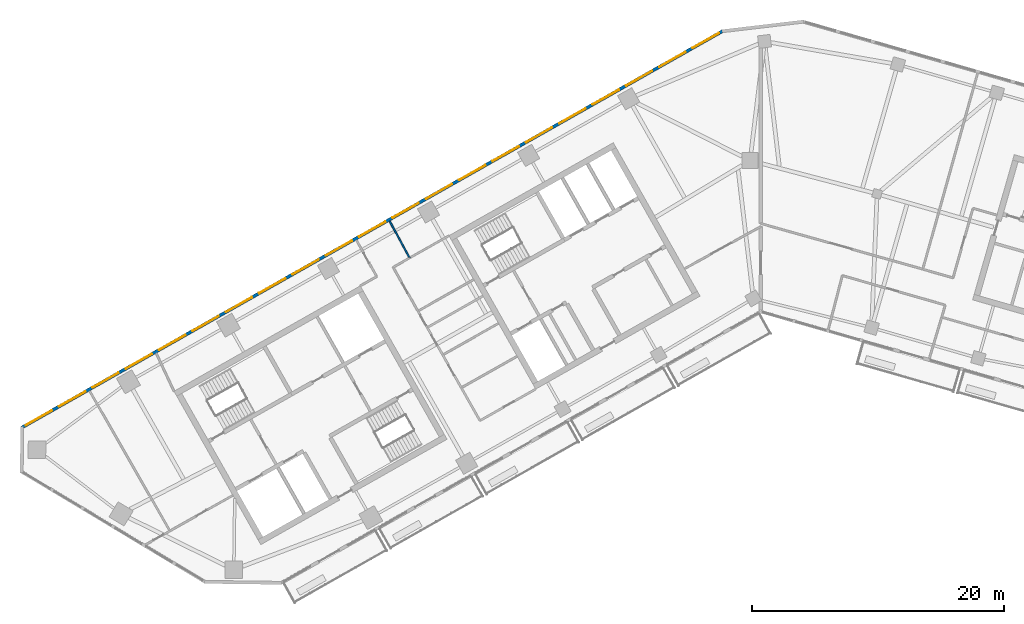
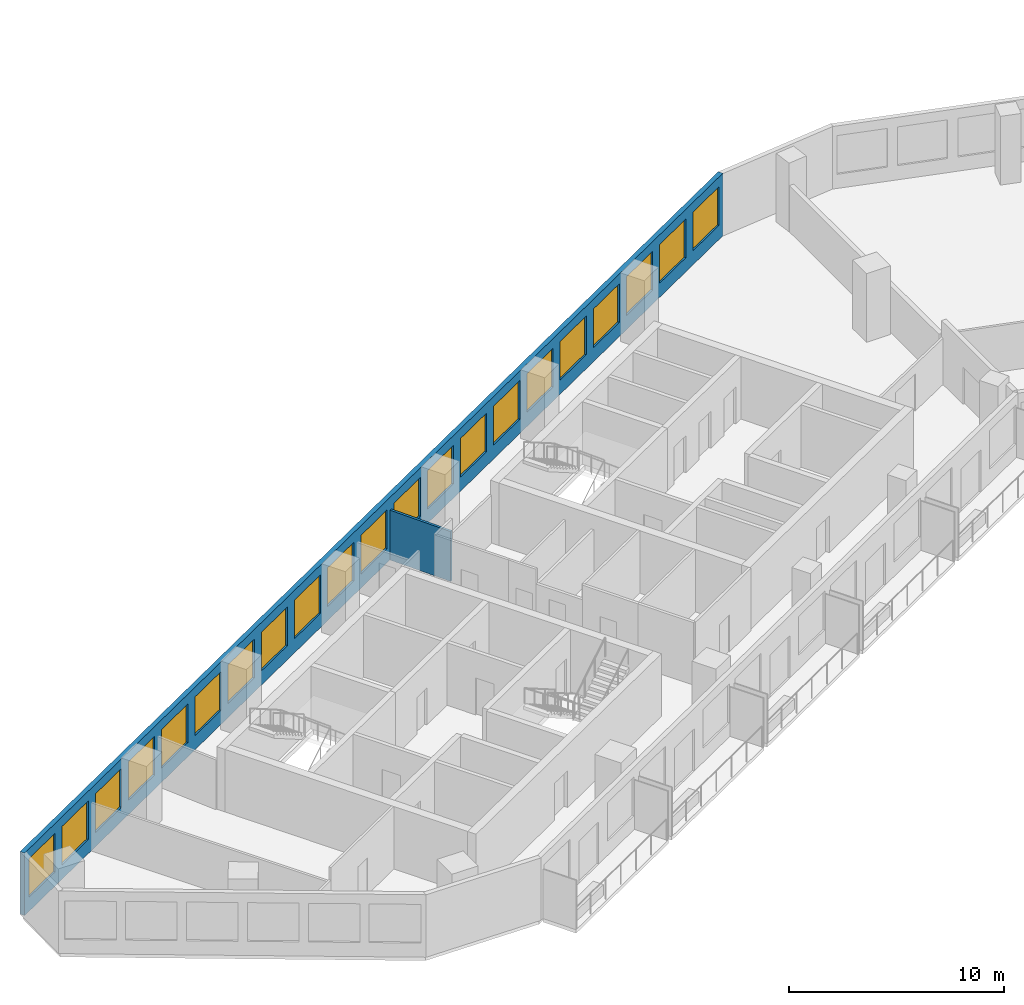
# One storey, part 4 of 11: 21 windows, 2 walls, 21 openings.
"""IFC4 building model written with IfcOpenShell, lengths in metres."""

from ifc_helpers import new_model, si_unit, direction, frame, frame_2d, origin, place, context, subcontext, project, spatial, rectangle, extrude, material, layer, layer_set, type_object, element, fill, save


model = new_model("IFC4")

# Units and contexts
model_context = context("Model", 3, precision=1e-05, world=origin(), true_north=direction((0.0, 1.0)))
body_context = subcontext(model_context, "Body", "Model", "MODEL_VIEW")
ifc_project = project(units=[si_unit("LENGTHUNIT", "METRE"), si_unit("AREAUNIT", "SQUARE_METRE"), si_unit("VOLUMEUNIT", "CUBIC_METRE"), si_unit("PLANEANGLEUNIT", "RADIAN"), si_unit("MASSUNIT", "GRAM", prefix="KILO")], contexts=[model_context])

# Site, building, storey
site_placement = place(None, origin())
site = spatial("IfcSite", under=ifc_project, at=site_placement, CompositionType="ELEMENT")
building_placement = place(site_placement, origin())
building = spatial("IfcBuilding", under=site, at=building_placement, Name="Binnacle Exchange Tower", CompositionType="ELEMENT")
storey_placement = place(building_placement, frame((0.0, 0.0, 227.0)))
storey = spatial("IfcBuildingStorey", under=building, at=storey_placement, Name="L50", CompositionType="ELEMENT", Elevation=227.0)

# Wall, openings, windows
ifc_material_1 = material(Name="Bronze aluminium cladding", Category="aluminium")
ifc_layer_1 = layer(ifc_material_1, 0.25)
ifc_layer_set_1 = layer_set([ifc_layer_1], Name="External wall - window wall 250")
wall_type_1 = type_object("IfcWallType", Name="External wall - window wall 250", PredefinedType="STANDARD", material=ifc_layer_set_1)
wall_1_placement = place(storey_placement, frame((-58.732177734375, 38.770751953125, 0.0), z_axis=(0.0, 0.0, 1.0), x_axis=(0.870354824205, 0.492425100887, 0.0)))
wall_1 = element("IfcWall", 1, at=wall_1_placement, inside=storey, type_object=wall_type_1, Name="External wall EW-G08 L50", PredefinedType="STANDARD", context=body_context, shape_type="SweptSolid", body=[
    extrude(rectangle(XDim=64.005859375, YDim=0.25, at=frame_2d((32.0029296875, 0.0))), origin(), (0.0, 0.0, 1.0), 3.550048828125),
])
opening_1_placement = place(wall_1_placement, frame((61.25927734375, 0.0, 0.800048828125)))
opening_1 = element("IfcOpeningElement", 2, at=opening_1_placement, cuts=wall_1, Name="Opening WR1", PredefinedType="OPENING", context=body_context, shape_type="SweptSolid", body=[
    extrude(rectangle(XDim=2.39990234375, YDim=2.199951171875, at=frame_2d((1.199951171875, 1.10009765625))), frame((0.0, 0.135009765625, 0.0), z_axis=(0.0, -1.0, 0.0), x_axis=(1.0, 0.0, 0.0)), (0.0, 0.0, 1.0), 0.27001953125),
])
opening_2_placement = place(wall_1_placement, frame((58.2158203125, 0.0, 0.800048828125)))
opening_2 = element("IfcOpeningElement", 3, at=opening_2_placement, cuts=wall_1, Name="Opening WR1", PredefinedType="OPENING", context=body_context, shape_type="SweptSolid", body=[
    extrude(rectangle(XDim=2.39990234375, YDim=2.199951171875, at=frame_2d((1.199951171875, 1.10009765625))), frame((0.0, 0.135009765625, 0.0), z_axis=(0.0, -1.0, 0.0), x_axis=(1.0, 0.0, 0.0)), (0.0, 0.0, 1.0), 0.27001953125),
])
opening_3_placement = place(wall_1_placement, frame((55.172607421875, 0.0, 0.800048828125)))
opening_3 = element("IfcOpeningElement", 4, at=opening_3_placement, cuts=wall_1, Name="Opening WR1", PredefinedType="OPENING", context=body_context, shape_type="SweptSolid", body=[
    extrude(rectangle(XDim=2.39990234375, YDim=2.199951171875, at=frame_2d((1.199951171875, 1.10009765625))), frame((0.0, 0.135009765625, 0.0), z_axis=(0.0, -1.0, 0.0), x_axis=(1.0, 0.0, 0.0)), (0.0, 0.0, 1.0), 0.27001953125),
])
opening_4_placement = place(wall_1_placement, frame((52.12939453125, 0.0, 0.800048828125)))
opening_4 = element("IfcOpeningElement", 5, at=opening_4_placement, cuts=wall_1, Name="Opening WR1", PredefinedType="OPENING", context=body_context, shape_type="SweptSolid", body=[
    extrude(rectangle(XDim=2.39990234375, YDim=2.199951171875, at=frame_2d((1.199951171875, 1.10009765625))), frame((0.0, 0.135009765625, 0.0), z_axis=(0.0, -1.0, 0.0), x_axis=(1.0, 0.0, 0.0)), (0.0, 0.0, 1.0), 0.27001953125),
])
opening_5_placement = place(wall_1_placement, frame((49.0859375, 0.0, 0.800048828125)))
opening_5 = element("IfcOpeningElement", 6, at=opening_5_placement, cuts=wall_1, Name="Opening WR1", PredefinedType="OPENING", context=body_context, shape_type="SweptSolid", body=[
    extrude(rectangle(XDim=2.39990234375, YDim=2.199951171875, at=frame_2d((1.199951171875, 1.10009765625))), frame((0.0, 0.135009765625, 0.0), z_axis=(0.0, -1.0, 0.0), x_axis=(1.0, 0.0, 0.0)), (0.0, 0.0, 1.0), 0.27001953125),
])
opening_6_placement = place(wall_1_placement, frame((46.042724609375, 0.0, 0.800048828125)))
opening_6 = element("IfcOpeningElement", 7, at=opening_6_placement, cuts=wall_1, Name="Opening WR1", PredefinedType="OPENING", context=body_context, shape_type="SweptSolid", body=[
    extrude(rectangle(XDim=2.39990234375, YDim=2.199951171875, at=frame_2d((1.199951171875, 1.10009765625))), frame((0.0, 0.135009765625, 0.0), z_axis=(0.0, -1.0, 0.0), x_axis=(1.0, 0.0, 0.0)), (0.0, 0.0, 1.0), 0.27001953125),
])
opening_7_placement = place(wall_1_placement, frame((42.99951171875, 0.0, 0.800048828125)))
opening_7 = element("IfcOpeningElement", 8, at=opening_7_placement, cuts=wall_1, Name="Opening WR1", PredefinedType="OPENING", context=body_context, shape_type="SweptSolid", body=[
    extrude(rectangle(XDim=2.39990234375, YDim=2.199951171875, at=frame_2d((1.199951171875, 1.10009765625))), frame((0.0, 0.135009765625, 0.0), z_axis=(0.0, -1.0, 0.0), x_axis=(1.0, 0.0, 0.0)), (0.0, 0.0, 1.0), 0.27001953125),
])
opening_8_placement = place(wall_1_placement, frame((39.956298828125, 0.0, 0.800048828125)))
opening_8 = element("IfcOpeningElement", 9, at=opening_8_placement, cuts=wall_1, Name="Opening WR1", PredefinedType="OPENING", context=body_context, shape_type="SweptSolid", body=[
    extrude(rectangle(XDim=2.39990234375, YDim=2.199951171875, at=frame_2d((1.199951171875, 1.10009765625))), frame((0.0, 0.135009765625, 0.0), z_axis=(0.0, -1.0, 0.0), x_axis=(1.0, 0.0, 0.0)), (0.0, 0.0, 1.0), 0.27001953125),
])
opening_9_placement = place(wall_1_placement, frame((36.912841796875, 0.0, 0.800048828125)))
opening_9 = element("IfcOpeningElement", 10, at=opening_9_placement, cuts=wall_1, Name="Opening WR1", PredefinedType="OPENING", context=body_context, shape_type="SweptSolid", body=[
    extrude(rectangle(XDim=2.39990234375, YDim=2.199951171875, at=frame_2d((1.199951171875, 1.10009765625))), frame((0.0, 0.135009765625, 0.0), z_axis=(0.0, -1.0, 0.0), x_axis=(1.0, 0.0, 0.0)), (0.0, 0.0, 1.0), 0.27001953125),
])
opening_10_placement = place(wall_1_placement, frame((33.86962890625, 0.0, 0.800048828125)))
opening_10 = element("IfcOpeningElement", 11, at=opening_10_placement, cuts=wall_1, Name="Opening WR1", PredefinedType="OPENING", context=body_context, shape_type="SweptSolid", body=[
    extrude(rectangle(XDim=2.39990234375, YDim=2.199951171875, at=frame_2d((1.199951171875, 1.10009765625))), frame((0.0, 0.135009765625, 0.0), z_axis=(0.0, -1.0, 0.0), x_axis=(1.0, 0.0, 0.0)), (0.0, 0.0, 1.0), 0.27001953125),
])
opening_11_placement = place(wall_1_placement, frame((30.826416015625, 0.0, 0.800048828125)))
opening_11 = element("IfcOpeningElement", 12, at=opening_11_placement, cuts=wall_1, Name="Opening WR1", PredefinedType="OPENING", context=body_context, shape_type="SweptSolid", body=[
    extrude(rectangle(XDim=2.39990234375, YDim=2.199951171875, at=frame_2d((1.199951171875, 1.10009765625))), frame((0.0, 0.135009765625, 0.0), z_axis=(0.0, -1.0, 0.0), x_axis=(1.0, 0.0, 0.0)), (0.0, 0.0, 1.0), 0.27001953125),
])
opening_12_placement = place(wall_1_placement, frame((27.782958984375, 0.0, 0.800048828125)))
opening_12 = element("IfcOpeningElement", 13, at=opening_12_placement, cuts=wall_1, Name="Opening WR1", PredefinedType="OPENING", context=body_context, shape_type="SweptSolid", body=[
    extrude(rectangle(XDim=2.39990234375, YDim=2.199951171875, at=frame_2d((1.199951171875, 1.10009765625))), frame((0.0, 0.135009765625, 0.0), z_axis=(0.0, -1.0, 0.0), x_axis=(1.0, 0.0, 0.0)), (0.0, 0.0, 1.0), 0.27001953125),
])
opening_13_placement = place(wall_1_placement, frame((24.73974609375, 0.0, 0.800048828125)))
opening_13 = element("IfcOpeningElement", 14, at=opening_13_placement, cuts=wall_1, Name="Opening WR1", PredefinedType="OPENING", context=body_context, shape_type="SweptSolid", body=[
    extrude(rectangle(XDim=2.39990234375, YDim=2.199951171875, at=frame_2d((1.199951171875, 1.10009765625))), frame((0.0, 0.135009765625, 0.0), z_axis=(0.0, -1.0, 0.0), x_axis=(1.0, 0.0, 0.0)), (0.0, 0.0, 1.0), 0.27001953125),
])
opening_14_placement = place(wall_1_placement, frame((21.6962890625, 0.0, 0.800048828125)))
opening_14 = element("IfcOpeningElement", 15, at=opening_14_placement, cuts=wall_1, Name="Opening WR1", PredefinedType="OPENING", context=body_context, shape_type="SweptSolid", body=[
    extrude(rectangle(XDim=2.39990234375, YDim=2.199951171875, at=frame_2d((1.199951171875, 1.10009765625))), frame((0.0, 0.135009765625, 0.0), z_axis=(0.0, -1.0, 0.0), x_axis=(1.0, 0.0, 0.0)), (0.0, 0.0, 1.0), 0.27001953125),
])
opening_15_placement = place(wall_1_placement, frame((18.6533203125, 0.0, 0.800048828125)))
opening_15 = element("IfcOpeningElement", 16, at=opening_15_placement, cuts=wall_1, Name="Opening WR1", PredefinedType="OPENING", context=body_context, shape_type="SweptSolid", body=[
    extrude(rectangle(XDim=2.39990234375, YDim=2.199951171875, at=frame_2d((1.199951171875, 1.10009765625))), frame((0.0, 0.135009765625, 0.0), z_axis=(0.0, -1.0, 0.0), x_axis=(1.0, 0.0, 0.0)), (0.0, 0.0, 1.0), 0.27001953125),
])
opening_16_placement = place(wall_1_placement, frame((15.60986328125, 0.0, 0.800048828125)))
opening_16 = element("IfcOpeningElement", 17, at=opening_16_placement, cuts=wall_1, Name="Opening WR1", PredefinedType="OPENING", context=body_context, shape_type="SweptSolid", body=[
    extrude(rectangle(XDim=2.39990234375, YDim=2.199951171875, at=frame_2d((1.199951171875, 1.10009765625))), frame((0.0, 0.135009765625, 0.0), z_axis=(0.0, -1.0, 0.0), x_axis=(1.0, 0.0, 0.0)), (0.0, 0.0, 1.0), 0.27001953125),
])
opening_17_placement = place(wall_1_placement, frame((12.566650390625, 0.0, 0.800048828125)))
opening_17 = element("IfcOpeningElement", 18, at=opening_17_placement, cuts=wall_1, Name="Opening WR1", PredefinedType="OPENING", context=body_context, shape_type="SweptSolid", body=[
    extrude(rectangle(XDim=2.39990234375, YDim=2.199951171875, at=frame_2d((1.199951171875, 1.10009765625))), frame((0.0, 0.135009765625, 0.0), z_axis=(0.0, -1.0, 0.0), x_axis=(1.0, 0.0, 0.0)), (0.0, 0.0, 1.0), 0.27001953125),
])
opening_18_placement = place(wall_1_placement, frame((9.523193359375, 0.0, 0.800048828125)))
opening_18 = element("IfcOpeningElement", 19, at=opening_18_placement, cuts=wall_1, Name="Opening WR1", PredefinedType="OPENING", context=body_context, shape_type="SweptSolid", body=[
    extrude(rectangle(XDim=2.39990234375, YDim=2.199951171875, at=frame_2d((1.199951171875, 1.10009765625))), frame((0.0, 0.135009765625, 0.0), z_axis=(0.0, -1.0, 0.0), x_axis=(1.0, 0.0, 0.0)), (0.0, 0.0, 1.0), 0.27001953125),
])
opening_19_placement = place(wall_1_placement, frame((6.47998046875, 0.0, 0.800048828125)))
opening_19 = element("IfcOpeningElement", 20, at=opening_19_placement, cuts=wall_1, Name="Opening WR1", PredefinedType="OPENING", context=body_context, shape_type="SweptSolid", body=[
    extrude(rectangle(XDim=2.39990234375, YDim=2.199951171875, at=frame_2d((1.199951171875, 1.10009765625))), frame((0.0, 0.135009765625, 0.0), z_axis=(0.0, -1.0, 0.0), x_axis=(1.0, 0.0, 0.0)), (0.0, 0.0, 1.0), 0.27001953125),
])
opening_20_placement = place(wall_1_placement, frame((3.436767578125, 0.0, 0.800048828125)))
opening_20 = element("IfcOpeningElement", 21, at=opening_20_placement, cuts=wall_1, Name="Opening WR1", PredefinedType="OPENING", context=body_context, shape_type="SweptSolid", body=[
    extrude(rectangle(XDim=2.39990234375, YDim=2.199951171875, at=frame_2d((1.199951171875, 1.10009765625))), frame((0.0, 0.135009765625, 0.0), z_axis=(0.0, -1.0, 0.0), x_axis=(1.0, 0.0, 0.0)), (0.0, 0.0, 1.0), 0.27001953125),
])
opening_21_placement = place(wall_1_placement, frame((0.393310546875, 0.0, 0.800048828125)))
opening_21 = element("IfcOpeningElement", 22, at=opening_21_placement, cuts=wall_1, Name="Opening WR1", PredefinedType="OPENING", context=body_context, shape_type="SweptSolid", body=[
    extrude(rectangle(XDim=2.39990234375, YDim=2.199951171875, at=frame_2d((1.199951171875, 1.10009765625))), frame((0.0, 0.135009765625, 0.0), z_axis=(0.0, -1.0, 0.0), x_axis=(1.0, 0.0, 0.0)), (0.0, 0.0, 1.0), 0.27001953125),
])
ifc_material_2 = material(Name="Bronze anodised aluminium frame", Category="aluminium")
window_type = type_object("IfcWindowType", Name="WR1 WINDOW 2400x2200", PartitioningType="SINGLE_PANEL", PredefinedType="WINDOW", material=ifc_material_2)
window_1_placement = place(opening_1_placement, origin())
window_1 = element("IfcWindow", 23, at=window_1_placement, inside=storey, type_object=window_type, Name="Window WR1 L50", OverallHeight=2.199951171875, OverallWidth=2.39990234375, PartitioningType="SINGLE_PANEL", PredefinedType="WINDOW", context=body_context, shape_type="SweptSolid", body=[
    extrude(rectangle(XDim=2.39990234375, YDim=2.199951171875, at=frame_2d((1.199951171875, 1.10009765625))), frame((0.0, 0.030029296875, 0.0), z_axis=(0.0, -1.0, 0.0), x_axis=(1.0, 0.0, 0.0)), (0.0, 0.0, 1.0), 0.06005859375),
])
fill(opening_1, window_1)
window_2_placement = place(opening_2_placement, origin())
window_2 = element("IfcWindow", 24, at=window_2_placement, inside=storey, type_object=window_type, Name="Window WR1 L50", OverallHeight=2.199951171875, OverallWidth=2.39990234375, PartitioningType="SINGLE_PANEL", PredefinedType="WINDOW", context=body_context, shape_type="SweptSolid", body=[
    extrude(rectangle(XDim=2.39990234375, YDim=2.199951171875, at=frame_2d((1.199951171875, 1.10009765625))), frame((0.0, 0.030029296875, 0.0), z_axis=(0.0, -1.0, 0.0), x_axis=(1.0, 0.0, 0.0)), (0.0, 0.0, 1.0), 0.06005859375),
])
fill(opening_2, window_2)
window_3_placement = place(opening_3_placement, origin())
window_3 = element("IfcWindow", 25, at=window_3_placement, inside=storey, type_object=window_type, Name="Window WR1 L50", OverallHeight=2.199951171875, OverallWidth=2.39990234375, PartitioningType="SINGLE_PANEL", PredefinedType="WINDOW", context=body_context, shape_type="SweptSolid", body=[
    extrude(rectangle(XDim=2.39990234375, YDim=2.199951171875, at=frame_2d((1.199951171875, 1.10009765625))), frame((0.0, 0.030029296875, 0.0), z_axis=(0.0, -1.0, 0.0), x_axis=(1.0, 0.0, 0.0)), (0.0, 0.0, 1.0), 0.06005859375),
])
fill(opening_3, window_3)
window_4_placement = place(opening_4_placement, origin())
window_4 = element("IfcWindow", 26, at=window_4_placement, inside=storey, type_object=window_type, Name="Window WR1 L50", OverallHeight=2.199951171875, OverallWidth=2.39990234375, PartitioningType="SINGLE_PANEL", PredefinedType="WINDOW", context=body_context, shape_type="SweptSolid", body=[
    extrude(rectangle(XDim=2.39990234375, YDim=2.199951171875, at=frame_2d((1.199951171875, 1.10009765625))), frame((0.0, 0.030029296875, 0.0), z_axis=(0.0, -1.0, 0.0), x_axis=(1.0, 0.0, 0.0)), (0.0, 0.0, 1.0), 0.06005859375),
])
fill(opening_4, window_4)
window_5_placement = place(opening_5_placement, origin())
window_5 = element("IfcWindow", 27, at=window_5_placement, inside=storey, type_object=window_type, Name="Window WR1 L50", OverallHeight=2.199951171875, OverallWidth=2.39990234375, PartitioningType="SINGLE_PANEL", PredefinedType="WINDOW", context=body_context, shape_type="SweptSolid", body=[
    extrude(rectangle(XDim=2.39990234375, YDim=2.199951171875, at=frame_2d((1.199951171875, 1.10009765625))), frame((0.0, 0.030029296875, 0.0), z_axis=(0.0, -1.0, 0.0), x_axis=(1.0, 0.0, 0.0)), (0.0, 0.0, 1.0), 0.06005859375),
])
fill(opening_5, window_5)
window_6_placement = place(opening_6_placement, origin())
window_6 = element("IfcWindow", 28, at=window_6_placement, inside=storey, type_object=window_type, Name="Window WR1 L50", OverallHeight=2.199951171875, OverallWidth=2.39990234375, PartitioningType="SINGLE_PANEL", PredefinedType="WINDOW", context=body_context, shape_type="SweptSolid", body=[
    extrude(rectangle(XDim=2.39990234375, YDim=2.199951171875, at=frame_2d((1.199951171875, 1.10009765625))), frame((0.0, 0.030029296875, 0.0), z_axis=(0.0, -1.0, 0.0), x_axis=(1.0, 0.0, 0.0)), (0.0, 0.0, 1.0), 0.06005859375),
])
fill(opening_6, window_6)
window_7_placement = place(opening_7_placement, origin())
window_7 = element("IfcWindow", 29, at=window_7_placement, inside=storey, type_object=window_type, Name="Window WR1 L50", OverallHeight=2.199951171875, OverallWidth=2.39990234375, PartitioningType="SINGLE_PANEL", PredefinedType="WINDOW", context=body_context, shape_type="SweptSolid", body=[
    extrude(rectangle(XDim=2.39990234375, YDim=2.199951171875, at=frame_2d((1.199951171875, 1.10009765625))), frame((0.0, 0.030029296875, 0.0), z_axis=(0.0, -1.0, 0.0), x_axis=(1.0, 0.0, 0.0)), (0.0, 0.0, 1.0), 0.06005859375),
])
fill(opening_7, window_7)
window_8_placement = place(opening_8_placement, origin())
window_8 = element("IfcWindow", 30, at=window_8_placement, inside=storey, type_object=window_type, Name="Window WR1 L50", OverallHeight=2.199951171875, OverallWidth=2.39990234375, PartitioningType="SINGLE_PANEL", PredefinedType="WINDOW", context=body_context, shape_type="SweptSolid", body=[
    extrude(rectangle(XDim=2.39990234375, YDim=2.199951171875, at=frame_2d((1.199951171875, 1.10009765625))), frame((0.0, 0.030029296875, 0.0), z_axis=(0.0, -1.0, 0.0), x_axis=(1.0, 0.0, 0.0)), (0.0, 0.0, 1.0), 0.06005859375),
])
fill(opening_8, window_8)
window_9_placement = place(opening_9_placement, origin())
window_9 = element("IfcWindow", 31, at=window_9_placement, inside=storey, type_object=window_type, Name="Window WR1 L50", OverallHeight=2.199951171875, OverallWidth=2.39990234375, PartitioningType="SINGLE_PANEL", PredefinedType="WINDOW", context=body_context, shape_type="SweptSolid", body=[
    extrude(rectangle(XDim=2.39990234375, YDim=2.199951171875, at=frame_2d((1.199951171875, 1.10009765625))), frame((0.0, 0.030029296875, 0.0), z_axis=(0.0, -1.0, 0.0), x_axis=(1.0, 0.0, 0.0)), (0.0, 0.0, 1.0), 0.06005859375),
])
fill(opening_9, window_9)
window_10_placement = place(opening_10_placement, origin())
window_10 = element("IfcWindow", 32, at=window_10_placement, inside=storey, type_object=window_type, Name="Window WR1 L50", OverallHeight=2.199951171875, OverallWidth=2.39990234375, PartitioningType="SINGLE_PANEL", PredefinedType="WINDOW", context=body_context, shape_type="SweptSolid", body=[
    extrude(rectangle(XDim=2.39990234375, YDim=2.199951171875, at=frame_2d((1.199951171875, 1.10009765625))), frame((0.0, 0.030029296875, 0.0), z_axis=(0.0, -1.0, 0.0), x_axis=(1.0, 0.0, 0.0)), (0.0, 0.0, 1.0), 0.06005859375),
])
fill(opening_10, window_10)
window_11_placement = place(opening_11_placement, origin())
window_11 = element("IfcWindow", 33, at=window_11_placement, inside=storey, type_object=window_type, Name="Window WR1 L50", OverallHeight=2.199951171875, OverallWidth=2.39990234375, PartitioningType="SINGLE_PANEL", PredefinedType="WINDOW", context=body_context, shape_type="SweptSolid", body=[
    extrude(rectangle(XDim=2.39990234375, YDim=2.199951171875, at=frame_2d((1.199951171875, 1.10009765625))), frame((0.0, 0.030029296875, 0.0), z_axis=(0.0, -1.0, 0.0), x_axis=(1.0, 0.0, 0.0)), (0.0, 0.0, 1.0), 0.06005859375),
])
fill(opening_11, window_11)
window_12_placement = place(opening_12_placement, origin())
window_12 = element("IfcWindow", 34, at=window_12_placement, inside=storey, type_object=window_type, Name="Window WR1 L50", OverallHeight=2.199951171875, OverallWidth=2.39990234375, PartitioningType="SINGLE_PANEL", PredefinedType="WINDOW", context=body_context, shape_type="SweptSolid", body=[
    extrude(rectangle(XDim=2.39990234375, YDim=2.199951171875, at=frame_2d((1.199951171875, 1.10009765625))), frame((0.0, 0.030029296875, 0.0), z_axis=(0.0, -1.0, 0.0), x_axis=(1.0, 0.0, 0.0)), (0.0, 0.0, 1.0), 0.06005859375),
])
fill(opening_12, window_12)
window_13_placement = place(opening_13_placement, origin())
window_13 = element("IfcWindow", 35, at=window_13_placement, inside=storey, type_object=window_type, Name="Window WR1 L50", OverallHeight=2.199951171875, OverallWidth=2.39990234375, PartitioningType="SINGLE_PANEL", PredefinedType="WINDOW", context=body_context, shape_type="SweptSolid", body=[
    extrude(rectangle(XDim=2.39990234375, YDim=2.199951171875, at=frame_2d((1.199951171875, 1.10009765625))), frame((0.0, 0.030029296875, 0.0), z_axis=(0.0, -1.0, 0.0), x_axis=(1.0, 0.0, 0.0)), (0.0, 0.0, 1.0), 0.06005859375),
])
fill(opening_13, window_13)
window_14_placement = place(opening_14_placement, origin())
window_14 = element("IfcWindow", 36, at=window_14_placement, inside=storey, type_object=window_type, Name="Window WR1 L50", OverallHeight=2.199951171875, OverallWidth=2.39990234375, PartitioningType="SINGLE_PANEL", PredefinedType="WINDOW", context=body_context, shape_type="SweptSolid", body=[
    extrude(rectangle(XDim=2.39990234375, YDim=2.199951171875, at=frame_2d((1.199951171875, 1.10009765625))), frame((0.0, 0.030029296875, 0.0), z_axis=(0.0, -1.0, 0.0), x_axis=(1.0, 0.0, 0.0)), (0.0, 0.0, 1.0), 0.06005859375),
])
fill(opening_14, window_14)
window_15_placement = place(opening_15_placement, origin())
window_15 = element("IfcWindow", 37, at=window_15_placement, inside=storey, type_object=window_type, Name="Window WR1 L50", OverallHeight=2.199951171875, OverallWidth=2.39990234375, PartitioningType="SINGLE_PANEL", PredefinedType="WINDOW", context=body_context, shape_type="SweptSolid", body=[
    extrude(rectangle(XDim=2.39990234375, YDim=2.199951171875, at=frame_2d((1.199951171875, 1.10009765625))), frame((0.0, 0.030029296875, 0.0), z_axis=(0.0, -1.0, 0.0), x_axis=(1.0, 0.0, 0.0)), (0.0, 0.0, 1.0), 0.06005859375),
])
fill(opening_15, window_15)
window_16_placement = place(opening_16_placement, origin())
window_16 = element("IfcWindow", 38, at=window_16_placement, inside=storey, type_object=window_type, Name="Window WR1 L50", OverallHeight=2.199951171875, OverallWidth=2.39990234375, PartitioningType="SINGLE_PANEL", PredefinedType="WINDOW", context=body_context, shape_type="SweptSolid", body=[
    extrude(rectangle(XDim=2.39990234375, YDim=2.199951171875, at=frame_2d((1.199951171875, 1.10009765625))), frame((0.0, 0.030029296875, 0.0), z_axis=(0.0, -1.0, 0.0), x_axis=(1.0, 0.0, 0.0)), (0.0, 0.0, 1.0), 0.06005859375),
])
fill(opening_16, window_16)
window_17_placement = place(opening_17_placement, origin())
window_17 = element("IfcWindow", 39, at=window_17_placement, inside=storey, type_object=window_type, Name="Window WR1 L50", OverallHeight=2.199951171875, OverallWidth=2.39990234375, PartitioningType="SINGLE_PANEL", PredefinedType="WINDOW", context=body_context, shape_type="SweptSolid", body=[
    extrude(rectangle(XDim=2.39990234375, YDim=2.199951171875, at=frame_2d((1.199951171875, 1.10009765625))), frame((0.0, 0.030029296875, 0.0), z_axis=(0.0, -1.0, 0.0), x_axis=(1.0, 0.0, 0.0)), (0.0, 0.0, 1.0), 0.06005859375),
])
fill(opening_17, window_17)
window_18_placement = place(opening_18_placement, origin())
window_18 = element("IfcWindow", 40, at=window_18_placement, inside=storey, type_object=window_type, Name="Window WR1 L50", OverallHeight=2.199951171875, OverallWidth=2.39990234375, PartitioningType="SINGLE_PANEL", PredefinedType="WINDOW", context=body_context, shape_type="SweptSolid", body=[
    extrude(rectangle(XDim=2.39990234375, YDim=2.199951171875, at=frame_2d((1.199951171875, 1.10009765625))), frame((0.0, 0.030029296875, 0.0), z_axis=(0.0, -1.0, 0.0), x_axis=(1.0, 0.0, 0.0)), (0.0, 0.0, 1.0), 0.06005859375),
])
fill(opening_18, window_18)
window_19_placement = place(opening_19_placement, origin())
window_19 = element("IfcWindow", 41, at=window_19_placement, inside=storey, type_object=window_type, Name="Window WR1 L50", OverallHeight=2.199951171875, OverallWidth=2.39990234375, PartitioningType="SINGLE_PANEL", PredefinedType="WINDOW", context=body_context, shape_type="SweptSolid", body=[
    extrude(rectangle(XDim=2.39990234375, YDim=2.199951171875, at=frame_2d((1.199951171875, 1.10009765625))), frame((0.0, 0.030029296875, 0.0), z_axis=(0.0, -1.0, 0.0), x_axis=(1.0, 0.0, 0.0)), (0.0, 0.0, 1.0), 0.06005859375),
])
fill(opening_19, window_19)
window_20_placement = place(opening_20_placement, origin())
window_20 = element("IfcWindow", 42, at=window_20_placement, inside=storey, type_object=window_type, Name="Window WR1 L50", OverallHeight=2.199951171875, OverallWidth=2.39990234375, PartitioningType="SINGLE_PANEL", PredefinedType="WINDOW", context=body_context, shape_type="SweptSolid", body=[
    extrude(rectangle(XDim=2.39990234375, YDim=2.199951171875, at=frame_2d((1.199951171875, 1.10009765625))), frame((0.0, 0.030029296875, 0.0), z_axis=(0.0, -1.0, 0.0), x_axis=(1.0, 0.0, 0.0)), (0.0, 0.0, 1.0), 0.06005859375),
])
fill(opening_20, window_20)
window_21_placement = place(opening_21_placement, origin())
window_21 = element("IfcWindow", 43, at=window_21_placement, inside=storey, type_object=window_type, Name="Window WR1 L50", OverallHeight=2.199951171875, OverallWidth=2.39990234375, PartitioningType="SINGLE_PANEL", PredefinedType="WINDOW", context=body_context, shape_type="SweptSolid", body=[
    extrude(rectangle(XDim=2.39990234375, YDim=2.199951171875, at=frame_2d((1.199951171875, 1.10009765625))), frame((0.0, 0.030029296875, 0.0), z_axis=(0.0, -1.0, 0.0), x_axis=(1.0, 0.0, 0.0)), (0.0, 0.0, 1.0), 0.06005859375),
])
fill(opening_21, window_21)

# Wall
ifc_material_3 = material(Name="Gypsum partition")
ifc_layer_2 = layer(ifc_material_3, 0.125)
ifc_layer_set_2 = layer_set([ifc_layer_2], Name="Partition 125")
wall_type_2 = type_object("IfcWallType", Name="Partition 125", PredefinedType="PARTITIONING", material=ifc_layer_set_2)
wall_2_placement = place(storey_placement, frame((-29.47412109375, 55.180908203125, 0.0), z_axis=(0.0, 0.0, 1.0), x_axis=(0.475344759365, -0.879799613403, 0.0)))
element("IfcWall", 44, at=wall_2_placement, inside=storey, type_object=wall_type_2, Name="Partition W07", PredefinedType="PARTITIONING", context=body_context, shape_type="SweptSolid", body=[
    extrude(rectangle(XDim=3.320068359375, YDim=0.125, at=frame_2d((1.66015625, 0.0))), origin(), (0.0, 0.0, 1.0), 2.830078125),
])

save(model, "model.ifc")
